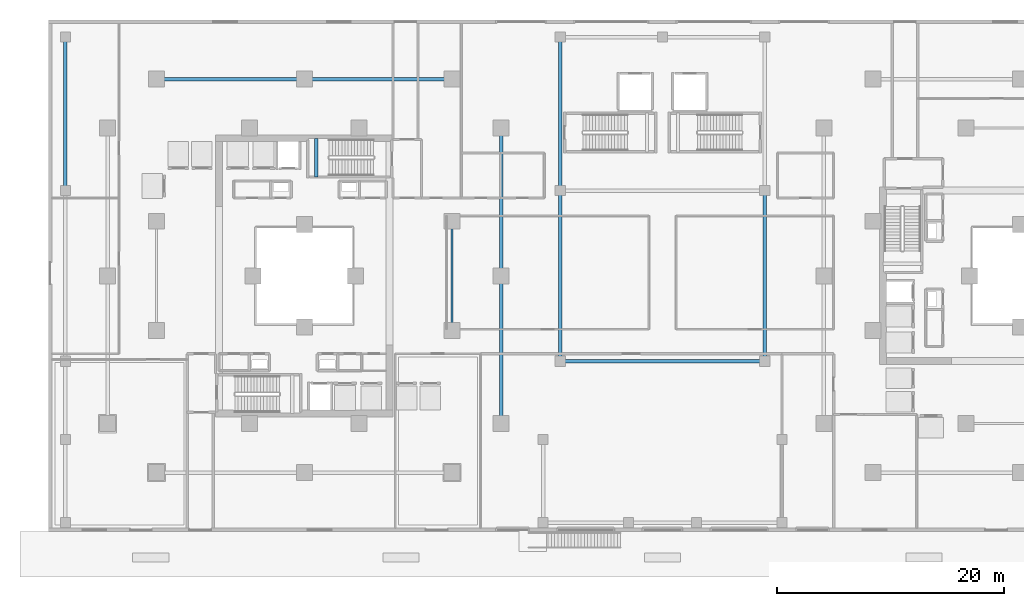
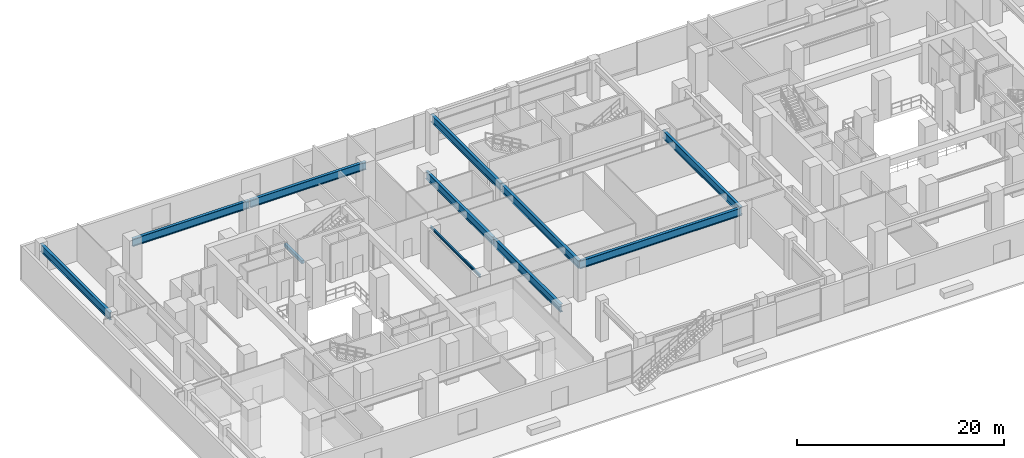
# One storey, part 4 of 24: 11 beams.
"""IFC4 building model written with IfcOpenShell, lengths in metres."""

from ifc_helpers import new_model, si_unit, direction, frame, origin, origin_2d, place, context, subcontext, project, spatial, rectangle, i_section, extrude, material, material_profile, profile_set, type_object, element, save


model = new_model("IFC4")

# Units and contexts
model_context = context("Model", 3, precision=1e-05, world=origin(), true_north=direction((0.0, 1.0)))
body_context = subcontext(model_context, "Body", "Model", "MODEL_VIEW")
ifc_project = project(units=[si_unit("LENGTHUNIT", "METRE"), si_unit("AREAUNIT", "SQUARE_METRE"), si_unit("VOLUMEUNIT", "CUBIC_METRE"), si_unit("PLANEANGLEUNIT", "RADIAN"), si_unit("MASSUNIT", "GRAM", prefix="KILO")], contexts=[model_context])

# Site, building, storey
site_placement = place(None, origin())
site = spatial("IfcSite", under=ifc_project, at=site_placement, CompositionType="ELEMENT")
building_placement = place(site_placement, origin())
building = spatial("IfcBuilding", under=site, at=building_placement, Name="Thornwick Lancets Civic Towers", CompositionType="ELEMENT")
storey_placement = place(building_placement, origin())
storey = spatial("IfcBuildingStorey", under=building, at=storey_placement, Name="L00", CompositionType="ELEMENT", Elevation=0.0)

# Beams
ifc_material_1 = material(Name="Steel S355JR", Category="steel")
ifc_material_profile_1 = material_profile(ifc_material_1, i_section(OverallWidth=0.1669921875, OverallDepth=0.310302734375, WebThickness=0.0078125, FlangeThickness=0.013671875, FilletRadius=0.0087890625, at=origin_2d()), Name="UKB 305x165x54")
ifc_profile_set_1 = profile_set([ifc_material_profile_1], Name="Steel S355JR")
beam_type_1 = type_object("IfcBeamType", Name="BM_LINTEL_305_54", PredefinedType="LINTEL", material=ifc_profile_set_1)
beam_1_placement = place(storey_placement, frame((38.5, 22.199951171875, 4.32470703125), z_axis=(0.0, 1.0, 0.0), x_axis=(-1.0, 0.0, 0.0)))
element("IfcBeam", 1, at=beam_1_placement, inside=storey, type_object=beam_type_1, Name="BM-INSP-L00-A-1-3", PredefinedType="LINTEL", context=body_context, shape_type="SweptSolid", body=[
    extrude(i_section(OverallWidth=0.1669921875, OverallDepth=0.310302734375, WebThickness=0.0078125, FlangeThickness=0.013671875, FilletRadius=0.0087890625, at=origin_2d()), origin(), (0.0, 0.0, 1.0), 9.60009765625),
])
ifc_material_profile_2 = material_profile(ifc_material_1, i_section(OverallWidth=0.3076171875, OverallDepth=0.926513671875, WebThickness=0.01953125, FlangeThickness=0.031982421875, FilletRadius=0.01904296875, at=origin_2d()), Name="UKB 914x305x289")
ifc_profile_set_2 = profile_set([ifc_material_profile_2], Name="Steel S355JR")
beam_type_2 = type_object("IfcBeamType", Name="BM_POD_914_289", PredefinedType="BEAM", material=ifc_profile_set_2)
beam_2_placement = place(storey_placement, frame((42.800048828125, 14.0, 4.0166015625), z_axis=(0.0, 1.0, 0.0), x_axis=(-1.0, 0.0, 0.0)))
element("IfcBeam", 2, at=beam_2_placement, inside=storey, type_object=beam_type_2, Name="BM-SPINE-L00-A-3-4", PredefinedType="BEAM", context=body_context, shape_type="SweptSolid", body=[
    extrude(i_section(OverallWidth=0.3076171875, OverallDepth=0.926513671875, WebThickness=0.01953125, FlangeThickness=0.031982421875, FilletRadius=0.01904296875, at=origin_2d()), origin(), (0.0, 0.0, 1.0), 13.0),
])
beam_3_placement = place(storey_placement, frame((42.800048828125, 27.080078125, 4.0166015625), z_axis=(0.0, 1.0, 0.0), x_axis=(-1.0, 0.0, 0.0)))
element("IfcBeam", 3, at=beam_3_placement, inside=storey, type_object=beam_type_2, Name="BM-SPINE-L00-A-4-5", PredefinedType="BEAM", context=body_context, shape_type="SweptSolid", body=[
    extrude(i_section(OverallWidth=0.3076171875, OverallDepth=0.926513671875, WebThickness=0.01953125, FlangeThickness=0.031982421875, FilletRadius=0.01904296875, at=origin_2d()), origin(), (0.0, 0.0, 1.0), 12.919921875),
])
beam_4_placement = place(storey_placement, frame((12.5, 44.300048828125, 4.0166015625), z_axis=(1.0, 0.0, 0.0), x_axis=(0.0, 1.0, 0.0)))
element("IfcBeam", 4, at=beam_4_placement, inside=storey, type_object=beam_type_2, Name="BM-SPINE-L00-A-6-7", PredefinedType="BEAM", context=body_context, shape_type="SweptSolid", body=[
    extrude(i_section(OverallWidth=0.3076171875, OverallDepth=0.926513671875, WebThickness=0.01953125, FlangeThickness=0.031982421875, FilletRadius=0.01904296875, at=origin_2d()), origin(), (0.0, 0.0, 1.0), 13.0),
])
beam_5_placement = place(storey_placement, frame((25.580078125, 44.300048828125, 4.0166015625), z_axis=(1.0, 0.0, 0.0), x_axis=(0.0, 1.0, 0.0)))
element("IfcBeam", 5, at=beam_5_placement, inside=storey, type_object=beam_type_2, Name="BM-SPINE-L00-A-7-8", PredefinedType="BEAM", context=body_context, shape_type="SweptSolid", body=[
    extrude(i_section(OverallWidth=0.3076171875, OverallDepth=0.926513671875, WebThickness=0.01953125, FlangeThickness=0.031982421875, FilletRadius=0.01904296875, at=origin_2d()), origin(), (0.0, 0.0, 1.0), 12.919921875),
])
beam_6_placement = place(storey_placement, frame((4.5, 34.580078125, 4.0166015625), z_axis=(0.0, 1.0, 0.0), x_axis=(-1.0, 0.0, 0.0)))
element("IfcBeam", 6, at=beam_6_placement, inside=storey, type_object=beam_type_2, Name="BM-PODG-L00-11-12", PredefinedType="BEAM", context=body_context, shape_type="SweptSolid", body=[
    extrude(i_section(OverallWidth=0.3076171875, OverallDepth=0.926513671875, WebThickness=0.01953125, FlangeThickness=0.031982421875, FilletRadius=0.01904296875, at=origin_2d()), origin(), (0.0, 0.0, 1.0), 13.419921875),
])
beam_7_placement = place(storey_placement, frame((48.0, 19.5, 4.0166015625), z_axis=(1.0, 0.0, 0.0), x_axis=(0.0, 1.0, 0.0)))
element("IfcBeam", 7, at=beam_7_placement, inside=storey, type_object=beam_type_2, Name="BM-PODG-L00-13-14", PredefinedType="BEAM", context=body_context, shape_type="SweptSolid", body=[
    extrude(i_section(OverallWidth=0.3076171875, OverallDepth=0.926513671875, WebThickness=0.01953125, FlangeThickness=0.031982421875, FilletRadius=0.01904296875, at=origin_2d()), origin(), (0.0, 0.0, 1.0), 18.0),
])
for number, where, z_axis, x_axis, name in (
    (8, (48.0, 19.5, 4.0166015625), (0.0, 1.0, 0.0), (-1.0, 0.0, 0.0), "BM-PODG-L00-13-15"),
    (9, (66.0, 19.5, 4.0166015625), (0.0, 1.0, 0.0), (-1.0, 0.0, 0.0), "BM-PODG-L00-14-16"),
):
    element("IfcBeam", number, at=place(storey_placement, frame(where, z_axis=z_axis, x_axis=x_axis)), inside=storey, type_object=beam_type_2, Name=name, PredefinedType="BEAM", context=body_context, shape_type="SweptSolid", body=[
        extrude(i_section(OverallWidth=0.3076171875, OverallDepth=0.926513671875, WebThickness=0.01953125, FlangeThickness=0.031982421875, FilletRadius=0.01904296875, at=origin_2d()), origin(), (0.0, 0.0, 1.0), 15.0),
    ])
beam_8_placement = place(storey_placement, frame((48.0, 34.580078125, 4.0166015625), z_axis=(0.0, 1.0, 0.0), x_axis=(-1.0, 0.0, 0.0)))
element("IfcBeam", 10, at=beam_8_placement, inside=storey, type_object=beam_type_2, Name="BM-PODG-L00-15-17", PredefinedType="BEAM", context=body_context, shape_type="SweptSolid", body=[
    extrude(i_section(OverallWidth=0.3076171875, OverallDepth=0.926513671875, WebThickness=0.01953125, FlangeThickness=0.031982421875, FilletRadius=0.01904296875, at=origin_2d()), origin(), (0.0, 0.0, 1.0), 13.419921875),
])
ifc_material_2 = material(Name="Concrete C40/50", Category="concrete")
ifc_material_profile_3 = material_profile(ifc_material_2, rectangle(XDim=0.300048828125, YDim=0.35009765625, at=origin_2d()), Name="RC 300x350")
ifc_profile_set_3 = profile_set([ifc_material_profile_3], Name="Concrete C40/50")
beam_type_3 = type_object("IfcBeamType", Name="BM_STAIR_LDG", PredefinedType="BEAM", material=ifc_profile_set_3)
beam_9_placement = place(storey_placement, frame((26.56494140625, 39.10009765625, 1.97802734375), z_axis=(0.0, -1.0, 0.0), x_axis=(1.0, 0.0, 0.0)))
element("IfcBeam", 11, at=beam_9_placement, inside=storey, type_object=beam_type_3, Name="L00 ST-A2 Landing Support Beam 1", PredefinedType="BEAM", context=body_context, shape_type="SweptSolid", body=[
    extrude(rectangle(XDim=0.300048828125, YDim=0.35009765625, at=origin_2d()), origin(), (0.0, 0.0, 1.0), 3.400146484375),
])

save(model, "model.ifc")
